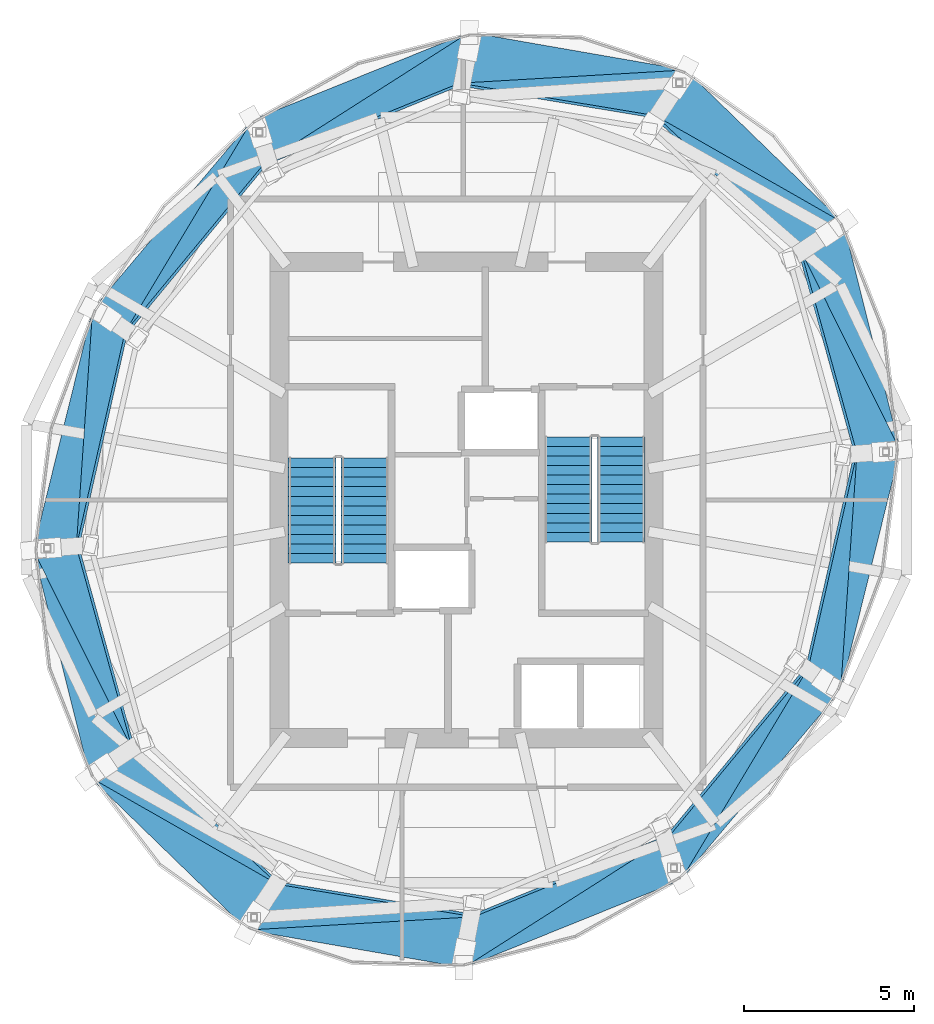
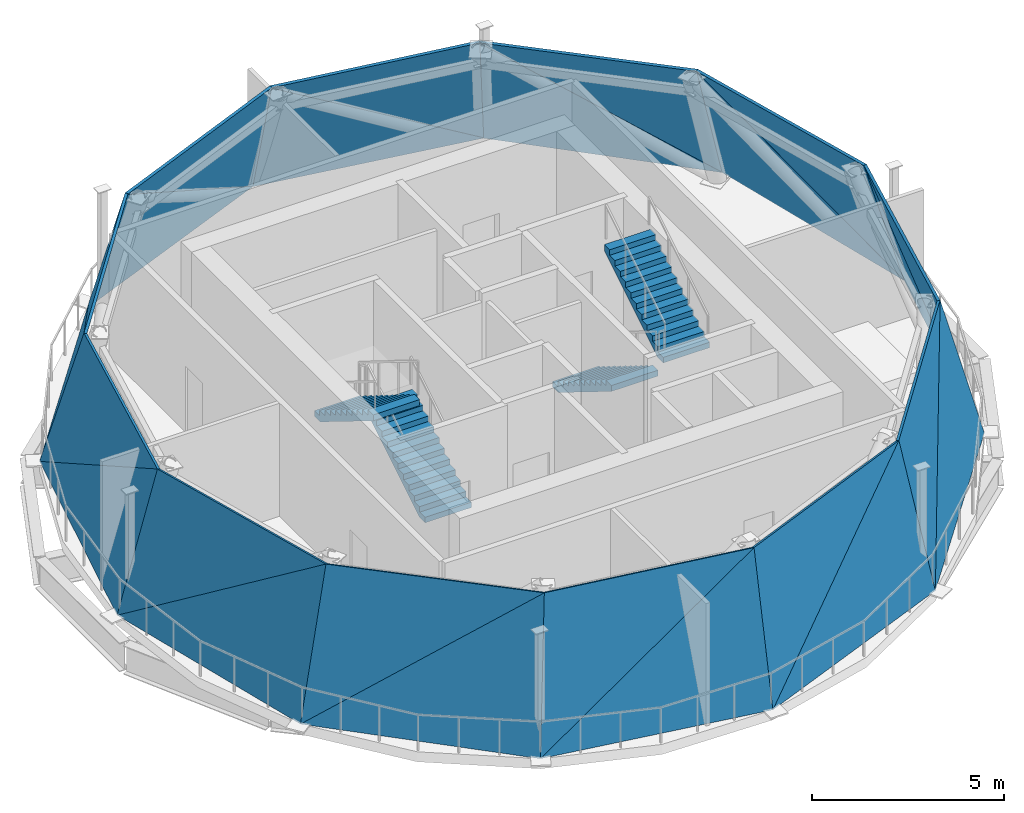
# One storey, part 5 of 7: 24 roofs, 4 stair flights, 2 elements without a shape of their own.
"""IFC4 building model written with IfcOpenShell, lengths in metres."""

from ifc_helpers import new_model, si_unit, direction, frame, origin, place, context, subcontext, project, spatial, polyline, outline, extrude, material, layer, layer_set, type_object, element, aggregate, save


model = new_model("IFC4")

# Units and contexts
model_context = context("Model", 3, precision=1e-05, world=origin(), true_north=direction((0.0, 1.0)))
body_context = subcontext(model_context, "Body", "Model", "MODEL_VIEW")
ifc_project = project(units=[si_unit("LENGTHUNIT", "METRE"), si_unit("AREAUNIT", "SQUARE_METRE"), si_unit("VOLUMEUNIT", "CUBIC_METRE"), si_unit("PLANEANGLEUNIT", "RADIAN"), si_unit("MASSUNIT", "GRAM", prefix="KILO")], contexts=[model_context])

# Site, building, storey
site_placement = place(None, origin())
site = spatial("IfcSite", under=ifc_project, at=site_placement, CompositionType="ELEMENT")
building_placement = place(site_placement, origin())
building = spatial("IfcBuilding", under=site, at=building_placement, Name="Veldorim Arch Residences", CompositionType="ELEMENT")
storey_placement = place(building_placement, frame((0.0, 0.0, 251.0400390625)))
storey = spatial("IfcBuildingStorey", under=building, at=storey_placement, Name="L75", CompositionType="ELEMENT", Elevation=251.0400390625)

# Stair, stair flights
ifc_material_1 = material(Name="Concrete C40/50", Category="concrete")
stair_type = type_object("IfcStairType", Name="Reinforced Concrete Dogleg Exit Staircase", PredefinedType="HALF_TURN_STAIR", material=ifc_material_1)
stair_1_placement = place(storey_placement, origin())
stair_1 = element("IfcStair", 1, at=stair_1_placement, inside=storey, type_object=stair_type, Name="L75 Exit Staircase ST-1", PredefinedType="HALF_TURN_STAIR")
ifc_material_2 = material(Name="Concrete C40/50", Category="concrete")
stair_flight_type = type_object("IfcStairFlightType", Name="Reinforced Concrete Stair Flight 1400", PredefinedType="STRAIGHT", material=ifc_material_2)
stair_flight_1_placement = place(storey_placement, frame((29.010009765625, 22.14990234375, 0.0), z_axis=(0.0, 0.0, 1.0), x_axis=(0.0, 1.0, 0.0)))
stair_flight_1 = element("IfcStairFlight", 2, at=stair_flight_1_placement, type_object=stair_flight_type, Name="ST-1 flight 1", NumberOfRisers=12, NumberOfTreads=11, PredefinedType="STRAIGHT", RiserHeight=0.173333333, TreadLength=0.28, context=body_context, shape_type="SweptSolid", body=[
    extrude(outline(polyline([(0.0, 0.0), (0.0, 0.17333984375), (0.280029296875, 0.17333984375), (0.280029296875, 0.3466796875), (0.56005859375, 0.3466796875), (0.56005859375, 0.52001953125), (0.840087890625, 0.52001953125), (0.840087890625, 0.693359375), (1.1201171875, 0.693359375), (1.1201171875, 0.86669921875), (1.39990234375, 0.86669921875), (1.39990234375, 1.0400390625), (1.679931640625, 1.0400390625), (1.679931640625, 1.21337890625), (1.9599609375, 1.21337890625), (1.9599609375, 1.38671875), (2.239990234375, 1.38671875), (2.239990234375, 1.56005859375), (2.52001953125, 1.56005859375), (2.52001953125, 1.7333984375), (2.800048828125, 1.7333984375), (2.800048828125, 1.90673828125), (3.080078125, 1.90673828125), (3.080078125, 2.080078125), (3.080078125, 1.718505859375), (0.3037109375, 0.0), (0.0, 0.0)])), frame((0.0, 0.699951171875, 0.0), z_axis=(0.0, -1.0, 0.0), x_axis=(1.0, 0.0, 0.0)), (0.0, 0.0, 1.0), 1.39990234375),
])
stair_flight_2_placement = place(storey_placement, frame((27.449951171875, 25.22998046875, 2.080078125), z_axis=(0.0, 0.0, 1.0), x_axis=(0.0, -1.0, 0.0)))
stair_flight_2 = element("IfcStairFlight", 3, at=stair_flight_2_placement, type_object=stair_flight_type, Name="ST-1 flight 2", NumberOfRisers=12, NumberOfTreads=11, PredefinedType="STRAIGHT", RiserHeight=0.173333333, TreadLength=0.28, context=body_context, shape_type="SweptSolid", body=[
    extrude(outline(polyline([(0.0, 0.0), (0.0, 0.17333984375), (0.280029296875, 0.17333984375), (0.280029296875, 0.3466796875), (0.56005859375, 0.3466796875), (0.56005859375, 0.52001953125), (0.840087890625, 0.52001953125), (0.840087890625, 0.693359375), (1.1201171875, 0.693359375), (1.1201171875, 0.86669921875), (1.39990234375, 0.86669921875), (1.39990234375, 1.0400390625), (1.679931640625, 1.0400390625), (1.679931640625, 1.21337890625), (1.9599609375, 1.21337890625), (1.9599609375, 1.38671875), (2.239990234375, 1.38671875), (2.239990234375, 1.56005859375), (2.52001953125, 1.56005859375), (2.52001953125, 1.7333984375), (2.800048828125, 1.7333984375), (2.800048828125, 1.90673828125), (3.080078125, 1.90673828125), (3.080078125, 2.080078125), (3.080078125, 1.718505859375), (0.3037109375, 0.0), (0.0, 0.0)])), frame((0.0, 0.699951171875, 0.0), z_axis=(0.0, -1.0, 0.0), x_axis=(1.0, 0.0, 0.0)), (0.0, 0.0, 1.0), 1.39990234375),
])
aggregate(stair_1, [stair_flight_1, stair_flight_2])

stair_2_placement = place(storey_placement, origin())
stair_2 = element("IfcStair", 4, at=stair_2_placement, inside=storey, type_object=stair_type, Name="L75 Exit Staircase ST-2", PredefinedType="HALF_TURN_STAIR")
stair_flight_3_placement = place(storey_placement, frame((34.989990234375, 25.85009765625, 0.0), z_axis=(0.0, 0.0, 1.0), x_axis=(0.0, -1.0, 0.0)))
stair_flight_3 = element("IfcStairFlight", 5, at=stair_flight_3_placement, type_object=stair_flight_type, Name="ST-2 flight 1", NumberOfRisers=12, NumberOfTreads=11, PredefinedType="STRAIGHT", RiserHeight=0.173333333, TreadLength=0.28, context=body_context, shape_type="SweptSolid", body=[
    extrude(outline(polyline([(0.0, 0.0), (0.0, 0.17333984375), (0.280029296875, 0.17333984375), (0.280029296875, 0.3466796875), (0.56005859375, 0.3466796875), (0.56005859375, 0.52001953125), (0.840087890625, 0.52001953125), (0.840087890625, 0.693359375), (1.1201171875, 0.693359375), (1.1201171875, 0.86669921875), (1.39990234375, 0.86669921875), (1.39990234375, 1.0400390625), (1.679931640625, 1.0400390625), (1.679931640625, 1.21337890625), (1.9599609375, 1.21337890625), (1.9599609375, 1.38671875), (2.239990234375, 1.38671875), (2.239990234375, 1.56005859375), (2.52001953125, 1.56005859375), (2.52001953125, 1.7333984375), (2.800048828125, 1.7333984375), (2.800048828125, 1.90673828125), (3.080078125, 1.90673828125), (3.080078125, 2.080078125), (3.080078125, 1.718505859375), (0.3037109375, 0.0), (0.0, 0.0)])), frame((0.0, 0.699951171875, 0.0), z_axis=(0.0, -1.0, 0.0), x_axis=(1.0, 0.0, 0.0)), (0.0, 0.0, 1.0), 1.39990234375),
])
stair_flight_4_placement = place(storey_placement, frame((36.550048828125, 22.77001953125, 2.080078125), z_axis=(0.0, 0.0, 1.0), x_axis=(0.0, 1.0, 0.0)))
stair_flight_4 = element("IfcStairFlight", 6, at=stair_flight_4_placement, type_object=stair_flight_type, Name="ST-2 flight 2", NumberOfRisers=12, NumberOfTreads=11, PredefinedType="STRAIGHT", RiserHeight=0.173333333, TreadLength=0.28, context=body_context, shape_type="SweptSolid", body=[
    extrude(outline(polyline([(0.0, 0.0), (0.0, 0.17333984375), (0.280029296875, 0.17333984375), (0.280029296875, 0.3466796875), (0.56005859375, 0.3466796875), (0.56005859375, 0.52001953125), (0.840087890625, 0.52001953125), (0.840087890625, 0.693359375), (1.1201171875, 0.693359375), (1.1201171875, 0.86669921875), (1.39990234375, 0.86669921875), (1.39990234375, 1.0400390625), (1.679931640625, 1.0400390625), (1.679931640625, 1.21337890625), (1.9599609375, 1.21337890625), (1.9599609375, 1.38671875), (2.239990234375, 1.38671875), (2.239990234375, 1.56005859375), (2.52001953125, 1.56005859375), (2.52001953125, 1.7333984375), (2.800048828125, 1.7333984375), (2.800048828125, 1.90673828125), (3.080078125, 1.90673828125), (3.080078125, 2.080078125), (3.080078125, 1.718505859375), (0.3037109375, 0.0), (0.0, 0.0)])), frame((0.0, 0.699951171875, 0.0), z_axis=(0.0, -1.0, 0.0), x_axis=(1.0, 0.0, 0.0)), (0.0, 0.0, 1.0), 1.39990234375),
])
aggregate(stair_2, [stair_flight_3, stair_flight_4])

# Roofs
ifc_material_3 = material(Name="Laminated Low-E Glass", Category="glass")
ifc_layer = layer(ifc_material_3, 0.080078125, Name="Glass-Point Crown Laminated Double-Glazed Roof Facet")
ifc_layer_set = layer_set([ifc_layer], Name="Laminated Low-E Glass")
roof_type = type_object("IfcRoofType", Name="Glass-Point Crown Laminated Double-Glazed Roof Facet", PredefinedType="PAVILION_ROOF", material=ifc_layer_set)
roof_1_placement = place(storey_placement, frame((38.44677734375, 36.65234375, 0.0), z_axis=(0.161010596671, 0.924915245122, 0.344394217577), x_axis=(-0.985183732861, 0.171502223037, 0.0)))
element("IfcRoof", 7, at=roof_1_placement, inside=storey, type_object=roof_type, Name="L75 tapering glass-point crown facet 01A", PredefinedType="PAVILION_ROOF", context=body_context, shape_type="SweptSolid", body=[
    extrude(outline(polyline([(0.0, 0.0), (6.461457334222449, 0.0), (6.496900474247515, 4.430976526660968), (0.0, 0.0)])), origin(), (0.0, 0.0, -1.0), 0.080078125),
])
roof_2_placement = place(storey_placement, frame((38.44677734375, 36.65234375, 0.0), z_axis=(0.153755917776, 0.930209528658, 0.333270686593), x_axis=(-0.847191237454, -0.049485977225, 0.528978397705)))
element("IfcRoof", 8, at=roof_2_placement, inside=storey, type_object=roof_type, Name="L75 tapering glass-point crown facet 01B", PredefinedType="PAVILION_ROOF", context=body_context, shape_type="SweptSolid", body=[
    extrude(outline(polyline([(0.0, 0.0), (7.864049132100973, 0.0), (3.0223212105470636, 3.281629598142861), (0.0, 0.0)])), origin(), (0.0, 0.0, -1.0), 0.080078125),
])
roof_3_placement = place(storey_placement, frame((32.0810546875, 37.760498046875, 0.0), z_axis=(-0.357268966662, 0.884986553188, 0.298592843414), x_axis=(-0.927288925257, -0.374346429254, 0.0)))
element("IfcRoof", 9, at=roof_3_placement, inside=storey, type_object=roof_type, Name="L75 tapering glass-point crown facet 03A", PredefinedType="PAVILION_ROOF", context=body_context, shape_type="SweptSolid", body=[
    extrude(outline(polyline([(0.0, 0.0), (6.888307406564127, 0.0), (7.006156002071519, 4.358755977900101), (0.0, 0.0)])), origin(), (0.0, 0.0, -1.0), 0.080078125),
])
roof_4_placement = place(storey_placement, frame((32.0810546875, 37.760498046875, 0.0), z_axis=(-0.361392610314, 0.88522841844, 0.292858376006), x_axis=(-0.728306605805, -0.464116084447, 0.504148537733)))
element("IfcRoof", 10, at=roof_4_placement, inside=storey, type_object=roof_type, Name="L75 tapering glass-point crown facet 03B", PredefinedType="PAVILION_ROOF", context=body_context, shape_type="SweptSolid", body=[
    extrude(outline(polyline([(0.0, 0.0), (8.251362045156096, 0.0), (3.008179542579441, 3.2535618997649136), (0.0, 0.0)])), origin(), (0.0, 0.0, -1.0), 0.080078125),
])
roof_5_placement = place(storey_placement, frame((25.693603515625, 35.181884765625, 0.0), z_axis=(-0.736703398175, 0.620726488189, 0.268266155111), x_axis=(-0.644345063164, -0.764734881888, 0.0)))
element("IfcRoof", 11, at=roof_5_placement, inside=storey, type_object=roof_type, Name="L75 tapering glass-point crown facet 05A", PredefinedType="PAVILION_ROOF", context=body_context, shape_type="SweptSolid", body=[
    extrude(outline(polyline([(0.0, 0.0), (7.290363555452102, 0.0), (7.189046468119866, 4.318196310086656), (0.0, 0.0)])), origin(), (0.0, 0.0, -1.0), 0.080078125),
])
roof_6_placement = place(storey_placement, frame((25.693603515625, 35.181884765625, 0.0), z_axis=(-0.74590892451, 0.616107933784, 0.253043257694), x_axis=(-0.446723788714, -0.744568759866, 0.496039533131)))
element("IfcRoof", 12, at=roof_6_placement, inside=storey, type_object=roof_type, Name="L75 tapering glass-point crown facet 05B", PredefinedType="PAVILION_ROOF", context=body_context, shape_type="SweptSolid", body=[
    extrude(outline(polyline([(0.0, 0.0), (8.386251158487488, 4.440892098500626e-16), (2.8260887464948095, 3.3205217004679137), (0.0, 0.0)])), origin(), (0.0, 0.0, -1.0), 0.080078125),
])
roof_7_placement = place(storey_placement, frame((20.99609375, 29.606689453125, 0.0), z_axis=(-0.932138045722, 0.230365563666, 0.279374964508), x_axis=(-0.239918623934, -0.970793002596, 0.0)))
element("IfcRoof", 13, at=roof_7_placement, inside=storey, type_object=roof_type, Name="L75 tapering glass-point crown facet 07A", PredefinedType="PAVILION_ROOF", context=body_context, shape_type="SweptSolid", body=[
    extrude(outline(polyline([(0.0, 0.0), (7.290069477812473, -5.551115123125783e-17), (6.896132513350674, 4.332420059163151), (0.0, 0.0)])), origin(), (0.0, 0.0, -1.0), 0.080078125),
])
roof_8_placement = place(storey_placement, frame((20.99609375, 29.606689453125, 0.0), z_axis=(-0.944248981642, 0.213880369233, 0.250297919137), x_axis=(-0.05887595594, -0.857688378517, 0.510787888628)))
element("IfcRoof", 14, at=roof_8_placement, inside=storey, type_object=roof_type, Name="L75 tapering glass-point crown facet 07B", PredefinedType="PAVILION_ROOF", context=body_context, shape_type="SweptSolid", body=[
    extrude(outline(polyline([(0.0, 0.0), (8.144108742565482, -8.881784197001252e-16), (2.642578190217693, 3.4167038257972098), (0.0, 0.0)])), origin(), (0.0, 0.0, -1.0), 0.080078125),
])
roof_9_placement = place(storey_placement, frame((19.2470703125, 22.529541015625, 0.0), z_axis=(-0.918802825988, -0.229306334508, 0.321278651502), x_axis=(0.242143652092, -0.970240409255, 0.0)))
element("IfcRoof", 15, at=roof_9_placement, inside=storey, type_object=roof_type, Name="L75 tapering glass-point crown facet 09A", PredefinedType="PAVILION_ROOF", context=body_context, shape_type="SweptSolid", body=[
    extrude(outline(polyline([(0.0, 0.0), (6.888343904895394, 0.0), (6.386537326973735, 4.3927975766994924), (0.0, 0.0)])), origin(), (0.0, 0.0, -1.0), 0.080078125),
])
roof_10_placement = place(storey_placement, frame((19.2470703125, 22.529541015625, 0.0), z_axis=(-0.923102336507, -0.255541467077, 0.287368465457), x_axis=(0.376159601498, -0.755311345854, 0.536664443601)))
element("IfcRoof", 16, at=roof_10_placement, inside=storey, type_object=roof_type, Name="L75 tapering glass-point crown facet 09B", PredefinedType="PAVILION_ROOF", context=body_context, shape_type="SweptSolid", body=[
    extrude(outline(polyline([(0.0, 0.0), (7.751421132843046, 8.881784197001252e-16), (2.640503663311276, 3.4572807674599324), (0.0, 0.0)])), origin(), (0.0, 0.0, -1.0), 0.080078125),
])
roof_11_placement = place(storey_placement, frame((20.9150390625, 15.84619140625, 0.0), z_axis=(-0.650602878793, -0.670799603349, 0.356010935581), x_axis=(0.717830578757, -0.696217825254, 0.0)))
element("IfcRoof", 17, at=roof_11_placement, inside=storey, type_object=roof_type, Name="L75 tapering glass-point crown facet 11A", PredefinedType="PAVILION_ROOF", context=body_context, shape_type="SweptSolid", body=[
    extrude(outline(polyline([(0.0, 0.0), (6.461390376795762, 0.0), (6.166376464905644, 4.451571083440232), (0.0, 0.0)])), origin(), (0.0, 0.0, -1.0), 0.080078125),
])
roof_12_placement = place(storey_placement, frame((20.9150390625, 15.84619140625, 0.0), z_axis=(-0.642911299919, -0.690975016194, 0.330482355704), x_axis=(0.727095654383, -0.414909992622, 0.546974960487)))
element("IfcRoof", 18, at=roof_12_placement, inside=storey, type_object=roof_type, Name="L75 tapering glass-point crown facet 11B", PredefinedType="PAVILION_ROOF", context=body_context, shape_type="SweptSolid", body=[
    extrude(outline(polyline([(0.0, 0.0), (7.605306293494264, -4.440892098500626e-16), (2.8388397769352607, 3.3896119412688734), (0.0, 0.0)])), origin(), (0.0, 0.0, -1.0), 0.080078125),
])
roof_13_placement = place(storey_placement, frame((25.55322265625, 11.34765625, 0.0), z_axis=(-0.161010596671, -0.924915245122, 0.344394217577), x_axis=(0.985183732861, -0.171502223037, 0.0)))
element("IfcRoof", 19, at=roof_13_placement, inside=storey, type_object=roof_type, Name="L75 tapering glass-point crown facet 13A", PredefinedType="PAVILION_ROOF", context=body_context, shape_type="SweptSolid", body=[
    extrude(outline(polyline([(0.0, 0.0), (6.461457334222449, 0.0), (6.496900474247515, 4.430976526660968), (0.0, 0.0)])), origin(), (0.0, 0.0, -1.0), 0.080078125),
])
roof_14_placement = place(storey_placement, frame((25.55322265625, 11.34765625, 0.0), z_axis=(-0.153755917776, -0.930209528658, 0.333270686593), x_axis=(0.847191237454, 0.049485977225, 0.528978397705)))
element("IfcRoof", 20, at=roof_14_placement, inside=storey, type_object=roof_type, Name="L75 tapering glass-point crown facet 13B", PredefinedType="PAVILION_ROOF", context=body_context, shape_type="SweptSolid", body=[
    extrude(outline(polyline([(0.0, 0.0), (7.864049132100973, 0.0), (3.0223212105470636, 3.281629598142861), (0.0, 0.0)])), origin(), (0.0, 0.0, -1.0), 0.080078125),
])
roof_15_placement = place(storey_placement, frame((31.9189453125, 10.239501953125, 0.0), z_axis=(0.357268966662, -0.884986553188, 0.298592843414), x_axis=(0.927288925257, 0.374346429254, 0.0)))
element("IfcRoof", 21, at=roof_15_placement, inside=storey, type_object=roof_type, Name="L75 tapering glass-point crown facet 15A", PredefinedType="PAVILION_ROOF", context=body_context, shape_type="SweptSolid", body=[
    extrude(outline(polyline([(0.0, 0.0), (6.888307406564127, 0.0), (7.006156002071519, 4.358755977900101), (0.0, 0.0)])), origin(), (0.0, 0.0, -1.0), 0.080078125),
])
roof_16_placement = place(storey_placement, frame((31.9189453125, 10.239501953125, 0.0), z_axis=(0.361392610314, -0.88522841844, 0.292858376006), x_axis=(0.728306605805, 0.464116084447, 0.504148537733)))
element("IfcRoof", 22, at=roof_16_placement, inside=storey, type_object=roof_type, Name="L75 tapering glass-point crown facet 15B", PredefinedType="PAVILION_ROOF", context=body_context, shape_type="SweptSolid", body=[
    extrude(outline(polyline([(0.0, 0.0), (8.251362045156096, 0.0), (3.008179542579441, 3.2535618997649136), (0.0, 0.0)])), origin(), (0.0, 0.0, -1.0), 0.080078125),
])
roof_17_placement = place(storey_placement, frame((38.306396484375, 12.818115234375, 0.0), z_axis=(0.736703398175, -0.620726488189, 0.268266155111), x_axis=(0.644345063164, 0.764734881888, 0.0)))
element("IfcRoof", 23, at=roof_17_placement, inside=storey, type_object=roof_type, Name="L75 tapering glass-point crown facet 17A", PredefinedType="PAVILION_ROOF", context=body_context, shape_type="SweptSolid", body=[
    extrude(outline(polyline([(0.0, 0.0), (7.290363555452102, 0.0), (7.189046468119866, 4.318196310086656), (0.0, 0.0)])), origin(), (0.0, 0.0, -1.0), 0.080078125),
])
roof_18_placement = place(storey_placement, frame((38.306396484375, 12.818115234375, 0.0), z_axis=(0.74590892451, -0.616107933784, 0.253043257694), x_axis=(0.446723788714, 0.744568759866, 0.496039533131)))
element("IfcRoof", 24, at=roof_18_placement, inside=storey, type_object=roof_type, Name="L75 tapering glass-point crown facet 17B", PredefinedType="PAVILION_ROOF", context=body_context, shape_type="SweptSolid", body=[
    extrude(outline(polyline([(0.0, 0.0), (8.386251158487488, 4.440892098500626e-16), (2.8260887464948095, 3.3205217004679137), (0.0, 0.0)])), origin(), (0.0, 0.0, -1.0), 0.080078125),
])
roof_19_placement = place(storey_placement, frame((43.00390625, 18.393310546875, 0.0), z_axis=(0.932138045722, -0.230365563666, 0.279374964508), x_axis=(0.239918623934, 0.970793002596, 0.0)))
element("IfcRoof", 25, at=roof_19_placement, inside=storey, type_object=roof_type, Name="L75 tapering glass-point crown facet 19A", PredefinedType="PAVILION_ROOF", context=body_context, shape_type="SweptSolid", body=[
    extrude(outline(polyline([(0.0, 0.0), (7.290069477812473, -5.551115123125783e-17), (6.896132513350674, 4.332420059163151), (0.0, 0.0)])), origin(), (0.0, 0.0, -1.0), 0.080078125),
])
roof_20_placement = place(storey_placement, frame((43.00390625, 18.393310546875, 0.0), z_axis=(0.944248981642, -0.213880369233, 0.250297919137), x_axis=(0.05887595594, 0.857688378517, 0.510787888628)))
element("IfcRoof", 26, at=roof_20_placement, inside=storey, type_object=roof_type, Name="L75 tapering glass-point crown facet 19B", PredefinedType="PAVILION_ROOF", context=body_context, shape_type="SweptSolid", body=[
    extrude(outline(polyline([(0.0, 0.0), (8.144108742565482, -8.881784197001252e-16), (2.642578190217693, 3.4167038257972098), (0.0, 0.0)])), origin(), (0.0, 0.0, -1.0), 0.080078125),
])
roof_21_placement = place(storey_placement, frame((44.7529296875, 25.470458984375, 0.0), z_axis=(0.918802825988, 0.229306334508, 0.321278651502), x_axis=(-0.242143652092, 0.970240409255, 0.0)))
element("IfcRoof", 27, at=roof_21_placement, inside=storey, type_object=roof_type, Name="L75 tapering glass-point crown facet 21A", PredefinedType="PAVILION_ROOF", context=body_context, shape_type="SweptSolid", body=[
    extrude(outline(polyline([(0.0, 0.0), (6.888343904895394, 0.0), (6.386537326973735, 4.3927975766994924), (0.0, 0.0)])), origin(), (0.0, 0.0, -1.0), 0.080078125),
])
roof_22_placement = place(storey_placement, frame((44.7529296875, 25.470458984375, 0.0), z_axis=(0.923102336507, 0.255541467077, 0.287368465457), x_axis=(-0.376159601498, 0.755311345854, 0.536664443601)))
element("IfcRoof", 28, at=roof_22_placement, inside=storey, type_object=roof_type, Name="L75 tapering glass-point crown facet 21B", PredefinedType="PAVILION_ROOF", context=body_context, shape_type="SweptSolid", body=[
    extrude(outline(polyline([(0.0, 0.0), (7.751421132843046, 8.881784197001252e-16), (2.640503663311276, 3.4572807674599324), (0.0, 0.0)])), origin(), (0.0, 0.0, -1.0), 0.080078125),
])
roof_23_placement = place(storey_placement, frame((43.0849609375, 32.15380859375, 0.0), z_axis=(0.650602878793, 0.670799603349, 0.356010935581), x_axis=(-0.717830578757, 0.696217825254, 0.0)))
element("IfcRoof", 29, at=roof_23_placement, inside=storey, type_object=roof_type, Name="L75 tapering glass-point crown facet 23A", PredefinedType="PAVILION_ROOF", context=body_context, shape_type="SweptSolid", body=[
    extrude(outline(polyline([(0.0, 0.0), (6.461390376795762, 0.0), (6.166376464905644, 4.451571083440232), (0.0, 0.0)])), origin(), (0.0, 0.0, -1.0), 0.080078125),
])
roof_24_placement = place(storey_placement, frame((43.0849609375, 32.15380859375, 0.0), z_axis=(0.642911299919, 0.690975016194, 0.330482355704), x_axis=(-0.727095654383, 0.414909992622, 0.546974960487)))
element("IfcRoof", 30, at=roof_24_placement, inside=storey, type_object=roof_type, Name="L75 tapering glass-point crown facet 23B", PredefinedType="PAVILION_ROOF", context=body_context, shape_type="SweptSolid", body=[
    extrude(outline(polyline([(0.0, 0.0), (7.605306293494264, -4.440892098500626e-16), (2.8388397769352607, 3.3896119412688734), (0.0, 0.0)])), origin(), (0.0, 0.0, -1.0), 0.080078125),
])

save(model, "model.ifc")
